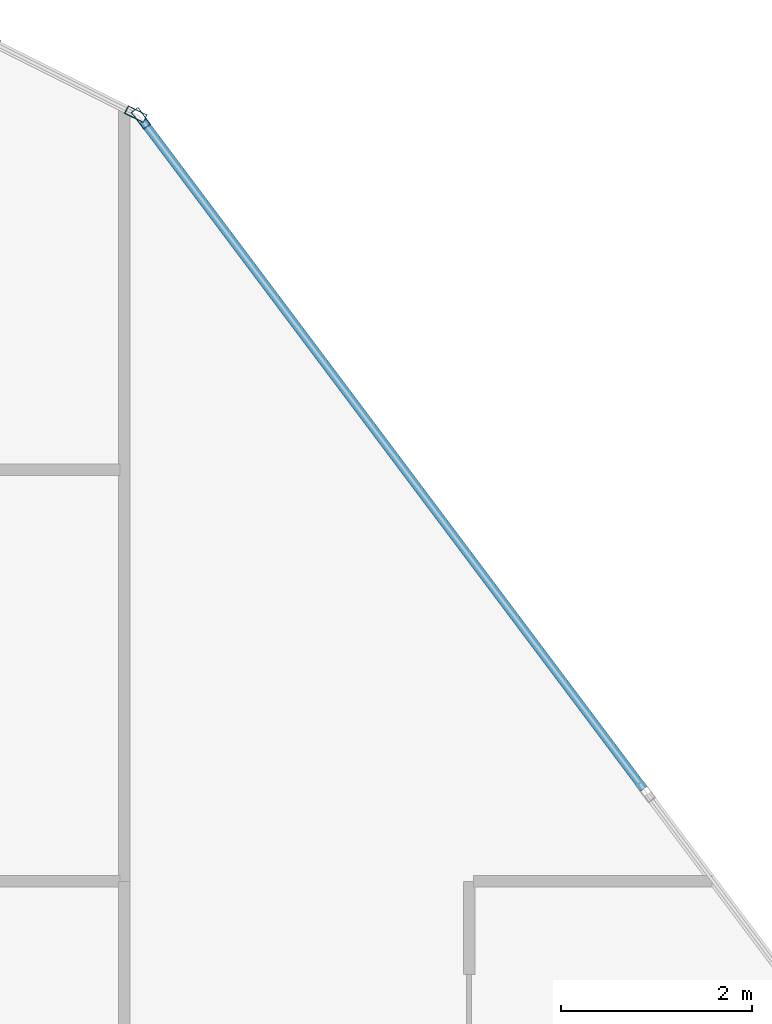
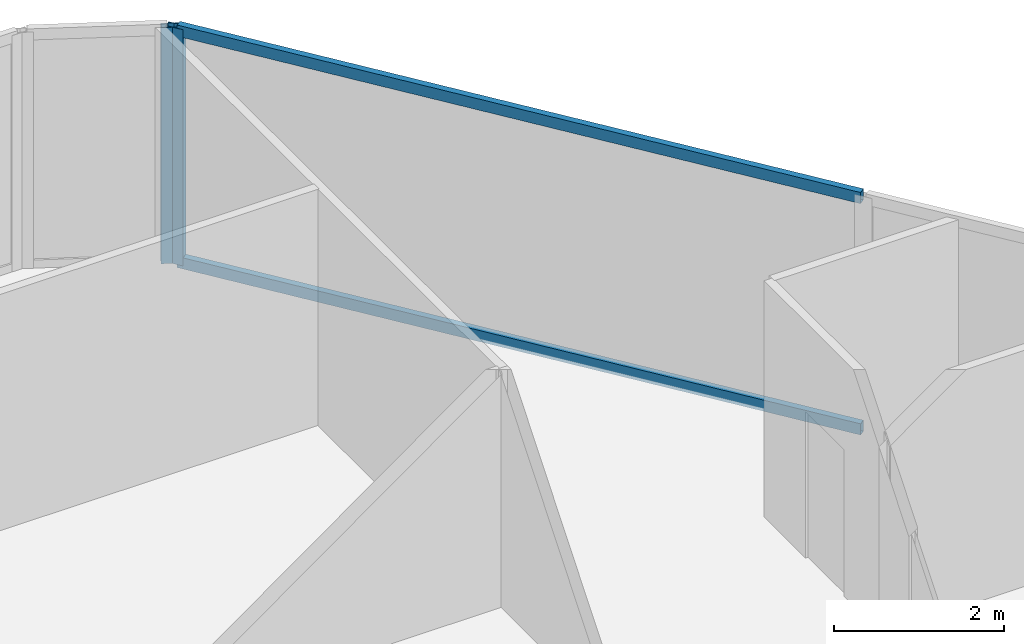
# One storey, part 17 of 33: 4 members, 2 elements without a shape of their own.
"""IFC4 building model written with IfcOpenShell, lengths in metres."""

from ifc_helpers import new_model, si_unit, direction, frame, origin, origin_2d, place, context, subcontext, project, spatial, hollow_rectangle, extrude, material, layer, layer_set, material_profile, profile_set, type_object, element, aggregate, save


model = new_model("IFC4")

# Units and contexts
model_context = context("Model", 3, precision=1e-05, world=origin(), true_north=direction((0.0, 1.0)))
body_context = subcontext(model_context, "Body", "Model", "MODEL_VIEW")
ifc_project = project(units=[si_unit("LENGTHUNIT", "METRE"), si_unit("AREAUNIT", "SQUARE_METRE"), si_unit("VOLUMEUNIT", "CUBIC_METRE"), si_unit("PLANEANGLEUNIT", "RADIAN"), si_unit("MASSUNIT", "GRAM", prefix="KILO")], contexts=[model_context])

# Site, building, storey
site_placement = place(None, origin())
site = spatial("IfcSite", under=ifc_project, at=site_placement, CompositionType="ELEMENT")
building_placement = place(site_placement, origin())
building = spatial("IfcBuilding", under=site, at=building_placement, Name="Keshet Zoharim Tower", CompositionType="ELEMENT")
storey_placement = place(building_placement, frame((0.0, 0.0, 73.800048828125)))
storey = spatial("IfcBuildingStorey", under=building, at=storey_placement, Name="L17", CompositionType="ELEMENT", Elevation=73.800048828125)

# Curtain wall, member
ifc_material = material(Name="Aluminium 6063-T6", Category="aluminium")
ifc_layer = layer(ifc_material, 0.169921875)
ifc_layer_set = layer_set([ifc_layer], Name="Aluminium 6063-T6")
curtain_wall_type = type_object("IfcCurtainWallType", Name="CW-SYS-02", PredefinedType="NOTDEFINED", material=ifc_layer_set)
curtain_wall_1_placement = place(storey_placement, origin())
curtain_wall_1 = element("IfcCurtainWall", 1, at=curtain_wall_1_placement, inside=storey, type_object=curtain_wall_type, Name="L17 Unitised Curtain Wall 08", PredefinedType="NOTDEFINED")
ifc_material_profile_1 = material_profile(ifc_material, hollow_rectangle(XDim=0.090087890625, YDim=0.219970703125, WallThickness=0.0048828125, at=origin_2d()), Name="MUL-90x220")
ifc_profile_set_1 = profile_set([ifc_material_profile_1], Name="Aluminium 6063-T6")
member_type_1 = type_object("IfcMemberType", Name="CWM-M22", PredefinedType="MULLION", material=ifc_profile_set_1)
member_1_placement = place(storey_placement, frame((51.568603515625, 53.11572265625, 0.0), z_axis=(0.0, 0.0, 1.0), x_axis=(0.447213595499, 0.894427191001, 0.0)))
member_1 = element("IfcMember", 2, at=member_1_placement, type_object=member_type_1, Name="CW-02 mullion 2", PredefinedType="MULLION", context=body_context, shape_type="SweptSolid", body=[
    extrude(hollow_rectangle(XDim=0.090087890625, YDim=0.219970703125, WallThickness=0.0048828125, at=origin_2d()), origin(), (0.0, 0.0, 1.0), 3.385009765625),
])
aggregate(curtain_wall_1, [member_1])

# Curtain wall, members
curtain_wall_2_placement = place(storey_placement, origin())
curtain_wall_2 = element("IfcCurtainWall", 3, at=curtain_wall_2_placement, inside=storey, type_object=curtain_wall_type, Name="L17 Unitised Curtain Wall 09", PredefinedType="NOTDEFINED")
member_2_placement = place(storey_placement, frame((51.62109375, 53.072021484375, 0.0), z_axis=(0.0, 0.0, 1.0), x_axis=(0.799999999998, 0.600000000002, 0.0)))
member_2 = element("IfcMember", 4, at=member_2_placement, type_object=member_type_1, Name="CW-02 mullion 1", PredefinedType="MULLION", context=body_context, shape_type="SweptSolid", body=[
    extrude(hollow_rectangle(XDim=0.090087890625, YDim=0.219970703125, WallThickness=0.0048828125, at=origin_2d()), origin(), (0.0, 0.0, 1.0), 3.385009765625),
])
ifc_material_profile_2 = material_profile(ifc_material, hollow_rectangle(XDim=0.0849609375, YDim=0.159912109375, WallThickness=0.00439453125, at=origin_2d()), Name="TRN-85x160")
ifc_profile_set_2 = profile_set([ifc_material_profile_2], Name="Aluminium 6063-T6")
member_type_2 = type_object("IfcMemberType", Name="CWT-T16", PredefinedType="USERDEFINED", material=ifc_profile_set_2)
member_3_placement = place(storey_placement, frame((51.64208984375, 53.0439453125, 0.034912109375), z_axis=(0.599991043201, -0.800006717521, 0.0), x_axis=(0.800006717521, 0.599991043201, 0.0)))
member_3 = element("IfcMember", 5, at=member_3_placement, type_object=member_type_2, Name="CW-02 transom 1.1", ObjectType="TRANSOM", PredefinedType="USERDEFINED", context=body_context, shape_type="SweptSolid", body=[
    extrude(hollow_rectangle(XDim=0.0849609375, YDim=0.159912109375, WallThickness=0.00439453125, at=origin_2d()), origin(), (0.0, 0.0, 1.0), 8.722412109375),
])
member_4_placement = place(storey_placement, frame((51.64208984375, 53.0439453125, 3.349853515625), z_axis=(0.599991043201, -0.800006717521, 0.0), x_axis=(0.800006717521, 0.599991043201, 0.0)))
member_4 = element("IfcMember", 6, at=member_4_placement, type_object=member_type_2, Name="CW-02 transom 1.2", ObjectType="TRANSOM", PredefinedType="USERDEFINED", context=body_context, shape_type="SweptSolid", body=[
    extrude(hollow_rectangle(XDim=0.0849609375, YDim=0.159912109375, WallThickness=0.00439453125, at=origin_2d()), origin(), (0.0, 0.0, 1.0), 8.722412109375),
])
aggregate(curtain_wall_2, [member_2, member_3, member_4])

save(model, "model.ifc")
